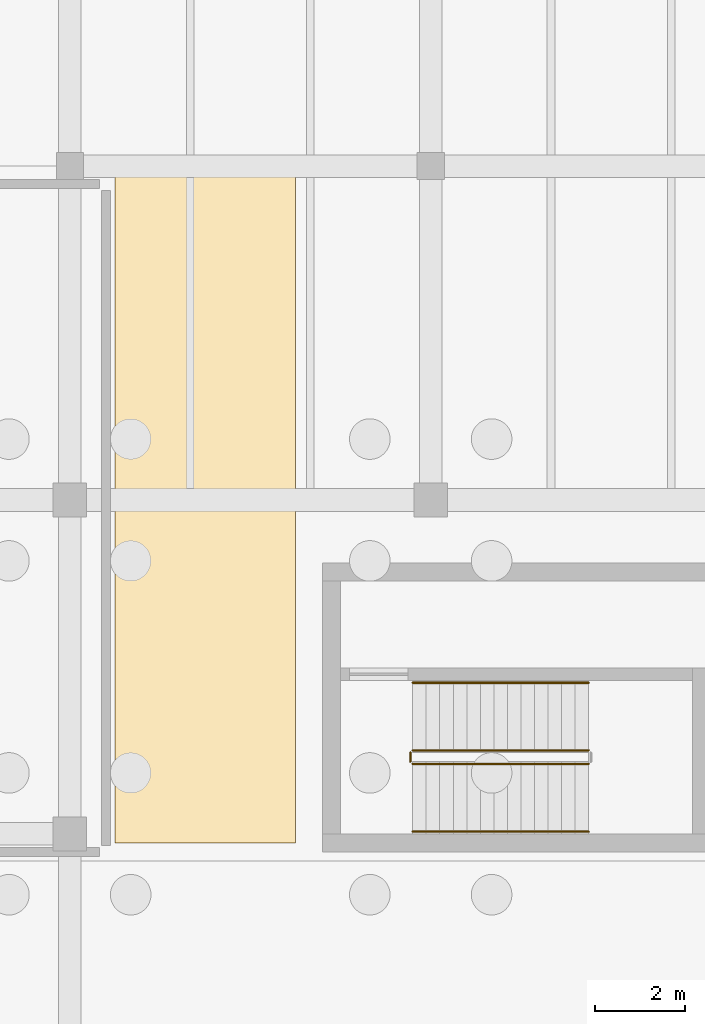
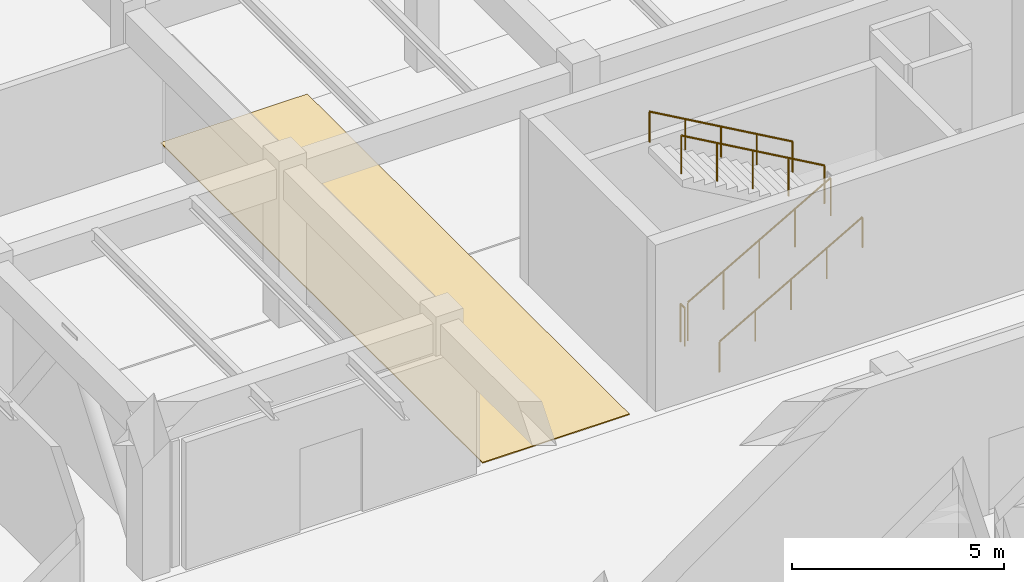
# One storey, part 29 of 40: 5 railings, 1 covering.
"""IFC4 building model written with IfcOpenShell, lengths in metres."""

from ifc_helpers import new_model, si_unit, direction, frame, origin, origin_2d, place, context, subcontext, project, spatial, polyline, circle, outline, extrude, material, layer, layer_set, type_object, element, save


model = new_model("IFC4")

# Units and contexts
model_context = context("Model", 3, precision=1e-05, world=origin(), true_north=direction((0.0, 1.0)))
body_context = subcontext(model_context, "Body", "Model", "MODEL_VIEW")
ifc_project = project(units=[si_unit("LENGTHUNIT", "METRE"), si_unit("AREAUNIT", "SQUARE_METRE"), si_unit("VOLUMEUNIT", "CUBIC_METRE"), si_unit("PLANEANGLEUNIT", "RADIAN"), si_unit("MASSUNIT", "GRAM", prefix="KILO")], contexts=[model_context])

# Site, building, storey
site_placement = place(None, origin())
site = spatial("IfcSite", under=ifc_project, at=site_placement, CompositionType="ELEMENT")
building_placement = place(site_placement, origin())
building = spatial("IfcBuilding", under=site, at=building_placement, Name="Valkorina Park Police Headquarters", CompositionType="ELEMENT")
storey_placement = place(building_placement, frame((0.0, 0.0, -4.800048828125)))
storey = spatial("IfcBuildingStorey", under=building, at=storey_placement, Name="B01", CompositionType="ELEMENT", Elevation=-4.800048828125)

# Covering
ifc_material_1 = material(Name="Resin terrazzo flooring")
ifc_layer = layer(ifc_material_1, 0.030029296875)
ifc_layer_set = layer_set([ifc_layer], Name="Resin terrazzo flooring")
covering_type = type_object("IfcCoveringType", Name="COV-FLOOR-TERRAZZO", PredefinedType="FLOORING", material=ifc_layer_set)
covering_placement = place(storey_placement, origin())
element("IfcCovering", 1, at=covering_placement, inside=storey, type_object=covering_type, Name="Basement North Link Corridor Terrazzo Flooring", PredefinedType="FLOORING", context=body_context, shape_type="SweptSolid", body=[
    extrude(outline(polyline([(37.800048828125, 66.800048828125), (33.800048828125, 66.800048828125), (33.800048828125, 51.60009765625), (37.800048828125, 51.60009765625), (37.800048828125, 66.800048828125)])), origin(), (0.0, 0.0, 1.0), 0.030029296875),
])

# Railings
ifc_material_2 = material(Name="Stainless steel EN 1.4404", Category="steel")
railing_type_1 = type_object("IfcRailingType", Name="RL-GUARD-INT-1100", PredefinedType="BALUSTRADE", material=ifc_material_2)
railing_1_placement = place(storey_placement, frame((40.39990234375, 53.35009765625, 0.17138671875)))
element("IfcRailing", 2, at=railing_1_placement, inside=storey, type_object=railing_type_1, Name="B01 Core C3 Stair Guard 1", PredefinedType="BALUSTRADE", context=body_context, shape_type="SweptSolid", body=[
    extrude(circle(Radius=0.02392578125, at=origin_2d()), frame((0.0, 0.0, 1.09619140625), z_axis=(0.868233108195, 0.0, 0.496156497321), x_axis=(0.0, 1.0, 0.0)), (0.0, 0.0, 1.0), 4.491943359375),
    extrude(circle(Radius=0.02099609375, at=origin_2d()), origin(), (0.0, 0.0, 1.0), 1.072021484375),
    extrude(circle(Radius=0.02099609375, at=origin_2d()), frame((0.97509765625, 0.0, 0.55712890625)), (0.0, 0.0, 1.0), 1.072021484375),
    extrude(circle(Radius=0.02099609375, at=origin_2d()), frame((1.9501953125, 0.0, 1.1142578125)), (0.0, 0.0, 1.0), 1.072021484375),
    extrude(circle(Radius=0.02099609375, at=origin_2d()), frame((2.925048828125, 0.0, 1.671630859375)), (0.0, 0.0, 1.0), 1.072021484375),
    extrude(circle(Radius=0.02099609375, at=origin_2d()), frame((3.900146484375, 0.0, 2.228759765625)), (0.0, 0.0, 1.0), 1.072021484375),
])
railing_2_placement = place(storey_placement, frame((44.300048828125, 53.64990234375, 2.571533203125)))
element("IfcRailing", 3, at=railing_2_placement, inside=storey, type_object=railing_type_1, Name="B01 Core C3 Stair Guard 3", PredefinedType="BALUSTRADE", context=body_context, shape_type="SweptSolid", body=[
    extrude(circle(Radius=0.02392578125, at=origin_2d()), frame((0.0, 0.0, 1.09619140625), z_axis=(-0.868256520506, 0.0, 0.496115525457), x_axis=(0.0, -1.0, 0.0)), (0.0, 0.0, 1.0), 4.491943359375),
    extrude(circle(Radius=0.02099609375, at=origin_2d()), origin(), (0.0, 0.0, 1.0), 1.072021484375),
    extrude(circle(Radius=0.02099609375, at=origin_2d()), frame((-0.97509765625, 0.0, 0.55712890625)), (0.0, 0.0, 1.0), 1.072021484375),
    extrude(circle(Radius=0.02099609375, at=origin_2d()), frame((-1.9501953125, 0.0, 1.1142578125)), (0.0, 0.0, 1.0), 1.072021484375),
    extrude(circle(Radius=0.02099609375, at=origin_2d()), frame((-2.925048828125, 0.0, 1.67138671875)), (0.0, 0.0, 1.0), 1.072021484375),
    extrude(circle(Radius=0.02099609375, at=origin_2d()), frame((-3.900146484375, 0.0, 2.228515625)), (0.0, 0.0, 1.0), 1.072021484375),
])
railing_3_placement = place(storey_placement, frame((40.35009765625, 53.39990234375, 0.0)))
element("IfcRailing", 4, at=railing_3_placement, inside=storey, type_object=railing_type_1, Name="B01 Core C3 Stair Guard 4", PredefinedType="BALUSTRADE", context=body_context, shape_type="SweptSolid", body=[
    extrude(circle(Radius=0.02392578125, at=origin_2d()), frame((0.0, 0.0, 1.09619140625), z_axis=(0.0, 1.0, 0.0), x_axis=(-1.0, 0.0, 0.0)), (0.0, 0.0, 1.0), 0.2001953125),
    extrude(circle(Radius=0.02099609375, at=origin_2d()), origin(), (0.0, 0.0, 1.0), 1.072021484375),
    extrude(circle(Radius=0.02099609375, at=origin_2d()), frame((0.0, 0.2001953125, 0.0)), (0.0, 0.0, 1.0), 1.072021484375),
])
railing_type_2 = type_object("IfcRailingType", Name="RL-HANDRAIL-900", PredefinedType="HANDRAIL", material=ifc_material_2)
railing_4_placement = place(storey_placement, frame((40.39990234375, 51.85009765625, 0.17138671875)))
element("IfcRailing", 5, at=railing_4_placement, inside=storey, type_object=railing_type_2, Name="B01 Core C3 Stair Handrail 1", PredefinedType="HANDRAIL", context=body_context, shape_type="SweptSolid", body=[
    extrude(circle(Radius=0.02392578125, at=origin_2d()), frame((0.0, 0.0, 0.8759765625), z_axis=(0.868233108195, 0.0, 0.496156497321), x_axis=(0.0, 1.0, 0.0)), (0.0, 0.0, 1.0), 4.491943359375),
    extrude(circle(Radius=0.02099609375, at=origin_2d()), origin(), (0.0, 0.0, 1.0), 0.851806640625),
    extrude(circle(Radius=0.02099609375, at=origin_2d()), frame((0.97509765625, 0.0, 0.55712890625)), (0.0, 0.0, 1.0), 0.851806640625),
    extrude(circle(Radius=0.02099609375, at=origin_2d()), frame((1.9501953125, 0.0, 1.1142578125)), (0.0, 0.0, 1.0), 0.851806640625),
    extrude(circle(Radius=0.02099609375, at=origin_2d()), frame((2.925048828125, 0.0, 1.671630859375)), (0.0, 0.0, 1.0), 0.851806640625),
    extrude(circle(Radius=0.02099609375, at=origin_2d()), frame((3.900146484375, 0.0, 2.228759765625)), (0.0, 0.0, 1.0), 0.851806640625),
])
railing_5_placement = place(storey_placement, frame((44.300048828125, 55.14990234375, 2.571533203125)))
element("IfcRailing", 6, at=railing_5_placement, inside=storey, type_object=railing_type_2, Name="B01 Core C3 Stair Handrail 2", PredefinedType="HANDRAIL", context=body_context, shape_type="SweptSolid", body=[
    extrude(circle(Radius=0.02392578125, at=origin_2d()), frame((0.0, 0.0, 0.8759765625), z_axis=(-0.868256520506, 0.0, 0.496115525457), x_axis=(0.0, -1.0, 0.0)), (0.0, 0.0, 1.0), 4.491943359375),
    extrude(circle(Radius=0.02099609375, at=origin_2d()), origin(), (0.0, 0.0, 1.0), 0.851806640625),
    extrude(circle(Radius=0.02099609375, at=origin_2d()), frame((-0.97509765625, 0.0, 0.55712890625)), (0.0, 0.0, 1.0), 0.851806640625),
    extrude(circle(Radius=0.02099609375, at=origin_2d()), frame((-1.9501953125, 0.0, 1.1142578125)), (0.0, 0.0, 1.0), 0.851806640625),
    extrude(circle(Radius=0.02099609375, at=origin_2d()), frame((-2.925048828125, 0.0, 1.67138671875)), (0.0, 0.0, 1.0), 0.851806640625),
    extrude(circle(Radius=0.02099609375, at=origin_2d()), frame((-3.900146484375, 0.0, 2.228515625)), (0.0, 0.0, 1.0), 0.851806640625),
])

save(model, "model.ifc")
